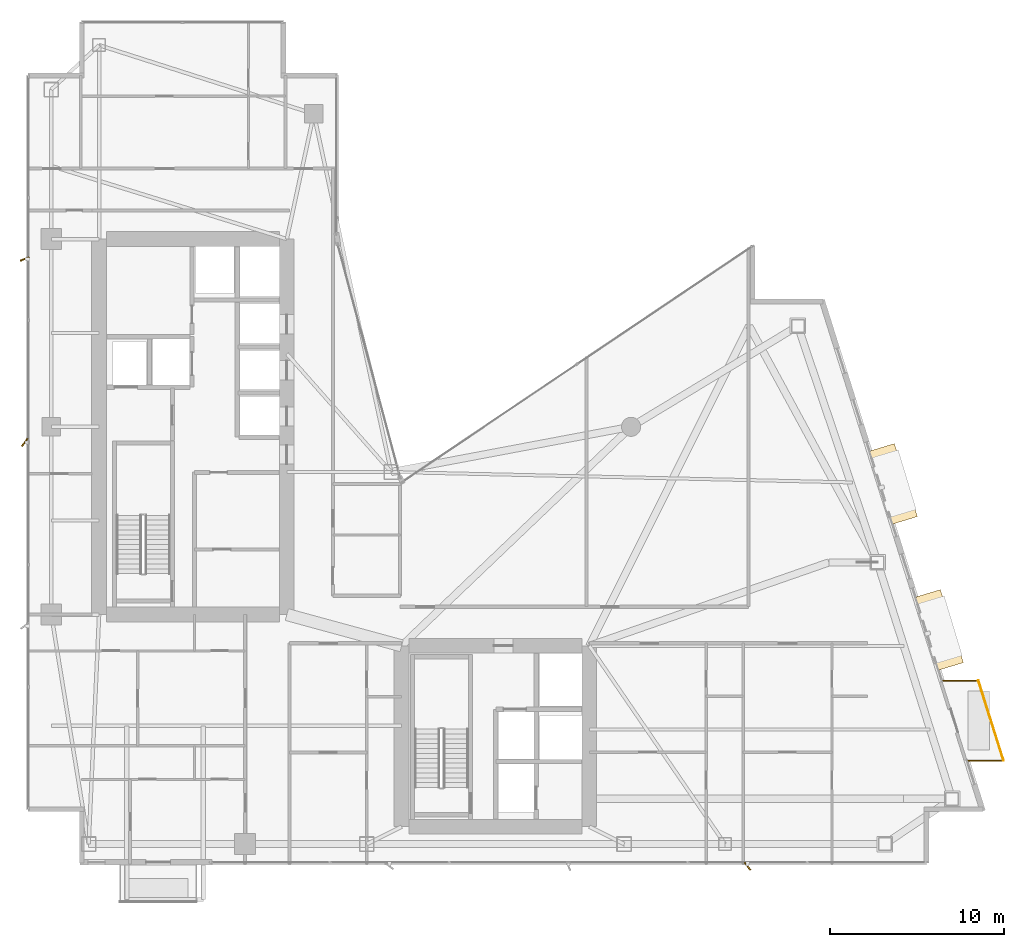
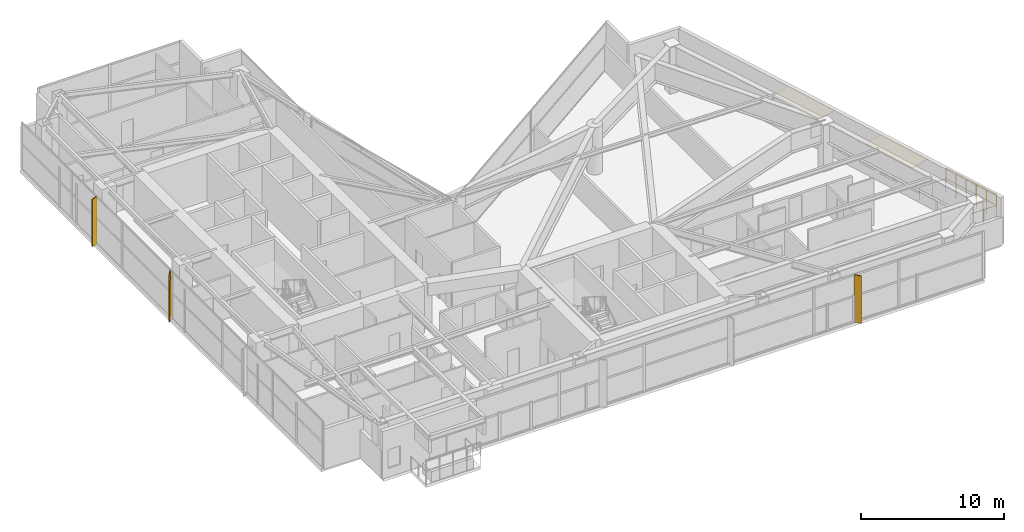
# One storey, part 30 of 30: 3 shading devices, 2 coverings, 2 railings.
"""IFC4 building model written with IfcOpenShell, lengths in metres."""

from ifc_helpers import new_model, si_unit, direction, frame, origin, origin_2d, place, context, subcontext, project, spatial, polyline, rectangle, circle, outline, extrude, material, layer, layer_set, type_object, element, save


model = new_model("IFC4")

# Units and contexts
model_context = context("Model", 3, precision=1e-05, world=origin(), true_north=direction((0.0, 1.0)))
body_context = subcontext(model_context, "Body", "Model", "MODEL_VIEW")
ifc_project = project(units=[si_unit("LENGTHUNIT", "METRE"), si_unit("AREAUNIT", "SQUARE_METRE"), si_unit("VOLUMEUNIT", "CUBIC_METRE"), si_unit("PLANEANGLEUNIT", "RADIAN"), si_unit("MASSUNIT", "GRAM", prefix="KILO")], contexts=[model_context])

# Site, building, storey
site_placement = place(None, origin())
site = spatial("IfcSite", under=ifc_project, at=site_placement, CompositionType="ELEMENT")
building_placement = place(site_placement, origin())
building = spatial("IfcBuilding", under=site, at=building_placement, Name="Calvorn Quay Hotel", CompositionType="ELEMENT")
storey_placement = place(building_placement, frame((0.0, 0.0, 195.10009765625)))
storey = spatial("IfcBuildingStorey", under=building, at=storey_placement, Name="L48", CompositionType="ELEMENT", Elevation=195.10009765625)

# Coverings
ifc_material_1 = material(Name="Pale Anodised Aluminium Rainscreen Cladding", Category="aluminium")
ifc_layer = layer(ifc_material_1, 0.044921875)
ifc_layer_set = layer_set([ifc_layer], Name="COV-CROWN-CLAD")
covering_type = type_object("IfcCoveringType", Name="COV-CROWN-CLAD", PredefinedType="CLADDING", material=ifc_layer_set)
covering_1_placement = place(storey_placement, frame((0.0, 0.0, 2.5048828125)))
element("IfcCovering", 1, at=covering_1_placement, inside=storey, type_object=covering_type, Name="Angled Bay Hood Canopy L48-HOOD-2", PredefinedType="CLADDING", context=body_context, shape_type="SweptSolid", body=[
    extrude(outline(polyline([(51.117919921875, 17.7880859375), (52.591064453125, 18.235107421875), (53.9140625, 14.034912109375), (52.44091796875, 13.587890625), (51.117919921875, 17.7880859375)])), origin(), (0.0, 0.0, 1.0), 0.044921875),
])
covering_2_placement = place(storey_placement, frame((0.0, 0.0, 2.5048828125)))
element("IfcCovering", 2, at=covering_2_placement, inside=storey, type_object=covering_type, Name="Angled Bay Hood Canopy L48-HOOD-3", PredefinedType="CLADDING", context=body_context, shape_type="SweptSolid", body=[
    extrude(outline(polyline([(48.471923828125, 26.18798828125), (49.945068359375, 26.635009765625), (51.26806640625, 22.43505859375), (49.794921875, 21.988037109375), (48.471923828125, 26.18798828125)])), origin(), (0.0, 0.0, 1.0), 0.044921875),
])

# Railings
ifc_material_2 = material(Name="Pale Anodised Aluminium and Laminated Glass", Category="aluminium")
railing_type = type_object("IfcRailingType", Name="RLG-BALUSTRADE-1200", PredefinedType="BALUSTRADE", material=ifc_material_2)
railing_1_placement = place(storey_placement, frame((54.1279296875, 8.39990234375, 0.0)))
element("IfcRailing", 3, at=railing_1_placement, inside=storey, type_object=railing_type, Name="Tree Balcony Perimeter Balustrade L48-BALC-E", PredefinedType="BALUSTRADE", context=body_context, shape_type="SweptSolid", body=[
    extrude(circle(Radius=0.02392578125, at=origin_2d()), frame((0.0, 0.0, 1.17578125), z_axis=(1.0, 0.0, 0.0), x_axis=(0.0, 1.0, 0.0)), (0.0, 0.0, 1.0), 2.10009765625),
    extrude(circle(Radius=0.02392578125, at=origin_2d()), frame((2.10009765625, 0.0, 1.17578125), z_axis=(-0.300620172346, 0.953743944662, 0.0), x_axis=(-0.953743944662, -0.300620172346, 0.0)), (0.0, 0.0, 1.0), 4.8232421875),
    extrude(circle(Radius=0.02392578125, at=origin_2d()), frame((0.650146484375, 4.60009765625, 1.17578125), z_axis=(-1.0, 0.0, 0.0), x_axis=(0.0, -1.0, 0.0)), (0.0, 0.0, 1.0), 2.10009765625),
    extrude(circle(Radius=0.02099609375, at=origin_2d()), origin(), (0.0, 0.0, 1.0), 1.15185546875),
    extrude(circle(Radius=0.02099609375, at=origin_2d()), frame((1.050048828125, 0.0, 0.0)), (0.0, 0.0, 1.0), 1.15185546875),
    extrude(circle(Radius=0.02099609375, at=origin_2d()), frame((2.10009765625, 0.0, 0.0)), (0.0, 0.0, 1.0), 1.15185546875),
    extrude(circle(Radius=0.02099609375, at=origin_2d()), frame((1.81005859375, 0.919921875, 0.0)), (0.0, 0.0, 1.0), 1.15185546875),
    extrude(circle(Radius=0.02099609375, at=origin_2d()), frame((1.52001953125, 1.840087890625, 0.0)), (0.0, 0.0, 1.0), 1.15185546875),
    extrude(circle(Radius=0.02099609375, at=origin_2d()), frame((1.230224609375, 2.760009765625, 0.0)), (0.0, 0.0, 1.0), 1.15185546875),
    extrude(circle(Radius=0.02099609375, at=origin_2d()), frame((0.940185546875, 3.68017578125, 0.0)), (0.0, 0.0, 1.0), 1.15185546875),
    extrude(circle(Radius=0.02099609375, at=origin_2d()), frame((0.650146484375, 4.60009765625, 0.0)), (0.0, 0.0, 1.0), 1.15185546875),
    extrude(circle(Radius=0.02099609375, at=origin_2d()), frame((-0.39990234375, 4.60009765625, 0.0)), (0.0, 0.0, 1.0), 1.15185546875),
    extrude(circle(Radius=0.02099609375, at=origin_2d()), frame((-1.449951171875, 4.60009765625, 0.0)), (0.0, 0.0, 1.0), 1.15185546875),
])
railing_2_placement = place(storey_placement, frame((56.22802734375, 8.39990234375, 0.89990234375)))
element("IfcRailing", 4, at=railing_2_placement, inside=storey, type_object=railing_type, Name="Planter Kerb High Safety Screen L48-BALC-E", PredefinedType="BALUSTRADE", context=body_context, shape_type="SweptSolid", body=[
    extrude(circle(Radius=0.02392578125, at=origin_2d()), frame((0.0, 0.0, 1.19580078125), z_axis=(-0.300620172346, 0.953743944662, 0.0), x_axis=(-0.953743944662, -0.300620172346, 0.0)), (0.0, 0.0, 1.0), 4.8232421875),
    extrude(circle(Radius=0.02099609375, at=origin_2d()), origin(), (0.0, 0.0, 1.0), 1.171875),
    extrude(circle(Radius=0.02099609375, at=origin_2d()), frame((-0.2900390625, 0.919921875, 0.0)), (0.0, 0.0, 1.0), 1.171875),
    extrude(circle(Radius=0.02099609375, at=origin_2d()), frame((-0.580078125, 1.840087890625, 0.0)), (0.0, 0.0, 1.0), 1.171875),
    extrude(circle(Radius=0.02099609375, at=origin_2d()), frame((-0.869873046875, 2.760009765625, 0.0)), (0.0, 0.0, 1.0), 1.171875),
    extrude(circle(Radius=0.02099609375, at=origin_2d()), frame((-1.159912109375, 3.68017578125, 0.0)), (0.0, 0.0, 1.0), 1.171875),
    extrude(circle(Radius=0.02099609375, at=origin_2d()), frame((-1.449951171875, 4.60009765625, 0.0)), (0.0, 0.0, 1.0), 1.171875),
])

# Shading devices
ifc_material_3 = material(Name="Champagne Bronze Anodised Aluminium 6063-T6", Category="aluminium")
shading_device_type_1 = type_object("IfcShadingDeviceType", Name="SHD-FIN-A1", PredefinedType="USERDEFINED", material=ifc_material_3)
shading_device_1_placement = place(storey_placement, frame((-0.080078125, 37.25, 0.0), z_axis=(0.0, 0.0, 1.0), x_axis=(0.927183854567, 0.374606593416, 0.0)))
element("IfcShadingDevice", 5, at=shading_device_1_placement, inside=storey, type_object=shading_device_type_1, Name="Diagonal Sun-Shading Fin L48-W03", ObjectType="FIN", PredefinedType="USERDEFINED", context=body_context, shape_type="SweptSolid", body=[
    extrude(rectangle(XDim=0.550048828125, YDim=0.080078125, at=origin_2d()), origin(), (0.0, 0.0, 1.0), 4.050048828125),
])
ifc_material_4 = material(Name="Champagne Bronze Anodised Aluminium 6063-T6", Category="aluminium")
shading_device_type_2 = type_object("IfcShadingDeviceType", Name="SHD-FIN-A2", PredefinedType="USERDEFINED", material=ifc_material_4)
shading_device_2_placement = place(storey_placement, frame((41.5, 2.320068359375, 0.0), z_axis=(0.0, 0.0, 1.0), x_axis=(-0.615661475326, 0.788010753607, 0.0)))
element("IfcShadingDevice", 6, at=shading_device_2_placement, inside=storey, type_object=shading_device_type_2, Name="Diagonal Sun-Shading Fin L48-S03", ObjectType="FIN", PredefinedType="USERDEFINED", context=body_context, shape_type="SweptSolid", body=[
    extrude(rectangle(XDim=0.550048828125, YDim=0.080078125, at=origin_2d()), origin(), (0.0, 0.0, 1.0), 4.050048828125),
])
ifc_material_5 = material(Name="Champagne Bronze Anodised Aluminium 6063-T6", Category="aluminium")
shading_device_type_3 = type_object("IfcShadingDeviceType", Name="SHD-FIN-A3", PredefinedType="USERDEFINED", material=ifc_material_5)
shading_device_3_placement = place(storey_placement, frame((-0.080078125, 26.699951171875, 0.0), z_axis=(0.0, 0.0, 1.0), x_axis=(0.587785252292, 0.809016994375, 0.0)))
element("IfcShadingDevice", 7, at=shading_device_3_placement, inside=storey, type_object=shading_device_type_3, Name="Diagonal Sun-Shading Fin L48-W02", ObjectType="FIN", PredefinedType="USERDEFINED", context=body_context, shape_type="SweptSolid", body=[
    extrude(rectangle(XDim=0.550048828125, YDim=0.080078125, at=origin_2d()), origin(), (0.0, 0.0, 1.0), 4.050048828125),
])

save(model, "model.ifc")
